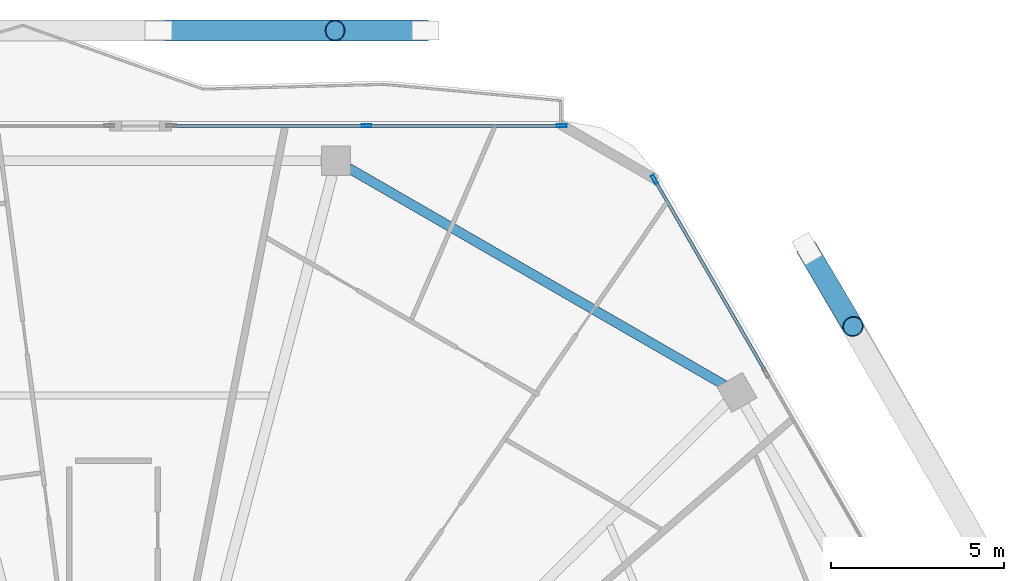
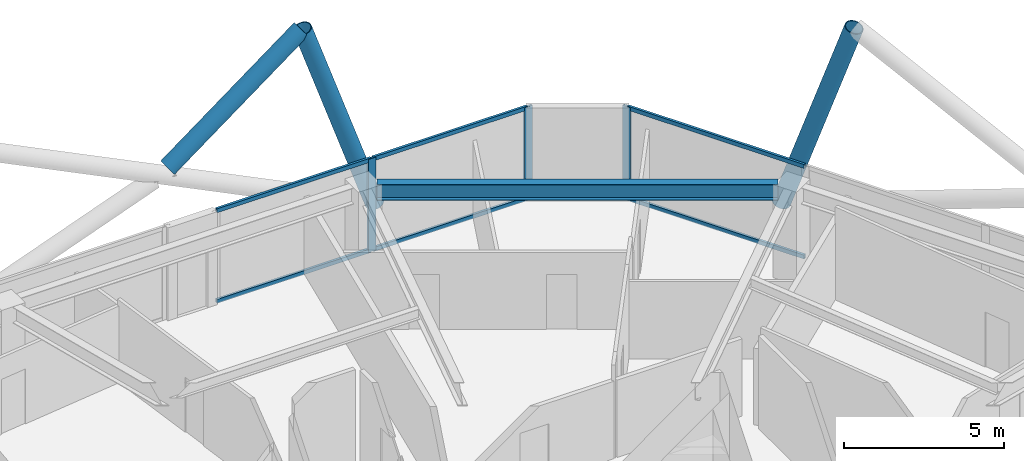
# One storey, part 18 of 27: 12 members, 1 beam, 2 elements without a shape of their own.
"""IFC4 building model written with IfcOpenShell, lengths in metres."""

from ifc_helpers import new_model, si_unit, direction, frame, origin, origin_2d, place, context, subcontext, project, spatial, hollow_rectangle, hollow_circle, i_section, extrude, material, material_profile, profile_set, type_object, element, aggregate, save


model = new_model("IFC4")

# Units and contexts
model_context = context("Model", 3, precision=1e-05, world=origin(), true_north=direction((0.0, 1.0)))
body_context = subcontext(model_context, "Body", "Model", "MODEL_VIEW")
ifc_project = project(units=[si_unit("LENGTHUNIT", "METRE"), si_unit("AREAUNIT", "SQUARE_METRE"), si_unit("VOLUMEUNIT", "CUBIC_METRE"), si_unit("PLANEANGLEUNIT", "RADIAN"), si_unit("MASSUNIT", "GRAM", prefix="KILO")], contexts=[model_context])

# Site, building, storey
site_placement = place(None, origin())
site = spatial("IfcSite", under=ifc_project, at=site_placement, CompositionType="ELEMENT")
building_placement = place(site_placement, origin())
building = spatial("IfcBuilding", under=site, at=building_placement, Name="Zuhravey Tower", CompositionType="ELEMENT")
storey_placement = place(building_placement, frame((0.0, 0.0, 276.800048828125)))
storey = spatial("IfcBuildingStorey", under=building, at=storey_placement, Name="L70", CompositionType="ELEMENT", Elevation=276.800048828125)

# Curtain wall, members
ifc_material_1 = material(Name="Thermally broken anodised aluminium", Category="aluminium")
curtain_wall_type = type_object("IfcCurtainWallType", Name="Zone 3-4 High-Rise Curtain Wall CW4", PredefinedType="NOTDEFINED", material=ifc_material_1)
curtain_wall_1_placement = place(storey_placement, origin())
curtain_wall_1 = element("IfcCurtainWall", 1, at=curtain_wall_1_placement, inside=storey, type_object=curtain_wall_type, Name="L70 CW4 CW-L70-F2-2", PredefinedType="NOTDEFINED")
ifc_material_2 = material(Name="Anodised aluminium", Category="aluminium")
ifc_material_profile_1 = material_profile(ifc_material_2, hollow_rectangle(XDim=0.090087890625, YDim=0.284912109375, WallThickness=0.0048828125, at=origin_2d()), Name="ALU-RHS-90x285x5")
ifc_profile_set_1 = profile_set([ifc_material_profile_1], Name="Anodised aluminium")
member_type_1 = type_object("IfcMemberType", Name="Curtain-Wall Mullion 90x180", PredefinedType="MULLION", material=ifc_profile_set_1)
member_1_placement = place(storey_placement, frame((43.321044921875, 57.563720703125, 0.0), z_axis=(0.0, 0.0, 1.0), x_axis=(0.0, 1.0, 0.0)))
member_1 = element("IfcMember", 2, at=member_1_placement, type_object=member_type_1, Name="CW4 mullion 2", PredefinedType="MULLION", context=body_context, shape_type="SweptSolid", body=[
    extrude(hollow_rectangle(XDim=0.090087890625, YDim=0.284912109375, WallThickness=0.0048828125, at=origin_2d()), origin(), (0.0, 0.0, 1.0), 3.550048828125),
])
member_2_placement = place(storey_placement, frame((48.9677734375, 57.563720703125, 0.0), z_axis=(0.0, 0.0, 1.0), x_axis=(0.0, 1.0, 0.0)))
member_2 = element("IfcMember", 3, at=member_2_placement, type_object=member_type_1, Name="CW4 mullion 3", PredefinedType="MULLION", context=body_context, shape_type="SweptSolid", body=[
    extrude(hollow_rectangle(XDim=0.090087890625, YDim=0.284912109375, WallThickness=0.0048828125, at=origin_2d()), origin(), (0.0, 0.0, 1.0), 3.550048828125),
])

# Curtain wall, member
curtain_wall_2_placement = place(storey_placement, origin())
curtain_wall_2 = element("IfcCurtainWall", 4, at=curtain_wall_2_placement, inside=storey, type_object=curtain_wall_type, Name="L70 CW4 CW-L70-F1-1", PredefinedType="NOTDEFINED")
member_3_placement = place(storey_placement, frame((51.65478515625, 56.01220703125, 0.0), z_axis=(0.0, 0.0, 1.0), x_axis=(0.866024851021, 0.500000957414, 0.0)))
member_3 = element("IfcMember", 5, at=member_3_placement, type_object=member_type_1, Name="CW4 mullion 1", PredefinedType="MULLION", context=body_context, shape_type="SweptSolid", body=[
    extrude(hollow_rectangle(XDim=0.090087890625, YDim=0.284912109375, WallThickness=0.0048828125, at=origin_2d()), origin(), (0.0, 0.0, 1.0), 3.550048828125),
])

# Member
ifc_material_profile_2 = material_profile(ifc_material_2, hollow_rectangle(XDim=0.090087890625, YDim=0.14990234375, WallThickness=0.0048828125, at=origin_2d()), Name="ALU-RHS-90x150x5")
ifc_profile_set_2 = profile_set([ifc_material_profile_2], Name="Anodised aluminium")
member_type_2 = type_object("IfcMemberType", Name="Curtain-Wall Transom 90x150", PredefinedType="USERDEFINED", material=ifc_profile_set_2)
member_4_placement = place(storey_placement, frame((37.719482421875, 57.563720703125, 0.044921875), z_axis=(1.0, 0.0, 0.0), x_axis=(0.0, 1.0, 0.0)))
member_4 = element("IfcMember", 6, at=member_4_placement, type_object=member_type_2, Name="CW4 transom 1.1", ObjectType="TRANSOM", PredefinedType="USERDEFINED", context=body_context, shape_type="SweptSolid", body=[
    extrude(hollow_rectangle(XDim=0.090087890625, YDim=0.14990234375, WallThickness=0.0048828125, at=origin_2d()), origin(), (0.0, 0.0, 1.0), 5.556640625),
])

member_5_placement = place(storey_placement, frame((37.719482421875, 57.563720703125, 3.5048828125), z_axis=(1.0, 0.0, 0.0), x_axis=(0.0, 1.0, 0.0)))
member_5 = element("IfcMember", 7, at=member_5_placement, type_object=member_type_2, Name="CW4 transom 1.2", ObjectType="TRANSOM", PredefinedType="USERDEFINED", context=body_context, shape_type="SweptSolid", body=[
    extrude(hollow_rectangle(XDim=0.090087890625, YDim=0.14990234375, WallThickness=0.0048828125, at=origin_2d()), origin(), (0.0, 0.0, 1.0), 5.556640625),
])

member_6_placement = place(storey_placement, frame((43.3662109375, 57.563720703125, 0.044921875), z_axis=(1.0, 0.0, 0.0), x_axis=(0.0, 1.0, 0.0)))
member_6 = element("IfcMember", 8, at=member_6_placement, type_object=member_type_2, Name="CW4 transom 2.1", ObjectType="TRANSOM", PredefinedType="USERDEFINED", context=body_context, shape_type="SweptSolid", body=[
    extrude(hollow_rectangle(XDim=0.090087890625, YDim=0.14990234375, WallThickness=0.0048828125, at=origin_2d()), origin(), (0.0, 0.0, 1.0), 5.556396484375),
])

member_7_placement = place(storey_placement, frame((43.3662109375, 57.563720703125, 3.5048828125), z_axis=(1.0, 0.0, 0.0), x_axis=(0.0, 1.0, 0.0)))
member_7 = element("IfcMember", 9, at=member_7_placement, type_object=member_type_2, Name="CW4 transom 2.2", ObjectType="TRANSOM", PredefinedType="USERDEFINED", context=body_context, shape_type="SweptSolid", body=[
    extrude(hollow_rectangle(XDim=0.090087890625, YDim=0.14990234375, WallThickness=0.0048828125, at=origin_2d()), origin(), (0.0, 0.0, 1.0), 5.556396484375),
])

aggregate(curtain_wall_1, [member_1, member_2, member_4, member_5, member_6, member_7])

member_8_placement = place(storey_placement, frame((51.677490234375, 55.97314453125, 0.044921875), z_axis=(0.499980071345, -0.866036909293, 0.0), x_axis=(0.866036909293, 0.499980071345, 0.0)))
member_8 = element("IfcMember", 10, at=member_8_placement, type_object=member_type_2, Name="CW4 transom 1.1", ObjectType="TRANSOM", PredefinedType="USERDEFINED", context=body_context, shape_type="SweptSolid", body=[
    extrude(hollow_rectangle(XDim=0.090087890625, YDim=0.14990234375, WallThickness=0.0048828125, at=origin_2d()), origin(), (0.0, 0.0, 1.0), 6.371337890625),
])

member_9_placement = place(storey_placement, frame((51.677490234375, 55.97314453125, 3.5048828125), z_axis=(0.499980071345, -0.866036909293, 0.0), x_axis=(0.866036909293, 0.499980071345, 0.0)))
member_9 = element("IfcMember", 11, at=member_9_placement, type_object=member_type_2, Name="CW4 transom 1.2", ObjectType="TRANSOM", PredefinedType="USERDEFINED", context=body_context, shape_type="SweptSolid", body=[
    extrude(hollow_rectangle(XDim=0.090087890625, YDim=0.14990234375, WallThickness=0.0048828125, at=origin_2d()), origin(), (0.0, 0.0, 1.0), 6.371337890625),
])

aggregate(curtain_wall_2, [member_3, member_8, member_9])

# Members
ifc_material_3 = material(Name="Steel SM355", Category="steel")
ifc_material_profile_3 = material_profile(ifc_material_3, hollow_circle(Radius=0.3046875, WallThickness=0.028076171875, at=origin_2d()), Name="CHS-609.6x28")
ifc_profile_set_3 = profile_set([ifc_material_profile_3], Name="Steel SM355")
member_type_3 = type_object("IfcMemberType", Name="Exoskeleton Zone 3 Diagrid CHS610x28", PredefinedType="BRACE", material=ifc_profile_set_3)
member_10_placement = place(storey_placement, frame((56.069580078125, 54.005859375, -0.446044921875), z_axis=(0.166262124402, -0.280531101441, 0.945335499764), x_axis=(0.860262654466, 0.509851120751, 0.0)))
element("IfcMember", 12, at=member_10_placement, inside=storey, type_object=member_type_3, Name="L70 Face 1 Diagrid Brace 4", PredefinedType="BRACE", context=body_context, shape_type="SweptSolid", body=[
    extrude(hollow_circle(Radius=0.3046875, WallThickness=0.028076171875, at=origin_2d()), origin(), (0.0, 0.0, 1.0), 8.00146484375),
])
member_11_placement = place(storey_placement, frame((45.022705078125, 60.323486328125, -0.446044921875), z_axis=(-0.326060268586, 0.0, 0.945348983841), x_axis=(0.0, -1.0, 0.0)))
element("IfcMember", 13, at=member_11_placement, inside=storey, type_object=member_type_3, Name="L70 Face 2 Diagrid Brace 1", PredefinedType="BRACE", context=body_context, shape_type="SweptSolid", body=[
    extrude(hollow_circle(Radius=0.3046875, WallThickness=0.028076171875, at=origin_2d()), origin(), (0.0, 0.0, 1.0), 8.001220703125),
])
member_12_placement = place(storey_placement, frame((37.547119140625, 60.323486328125, 3.51220703125), z_axis=(0.801714073603, 0.0, 0.597707741448), x_axis=(0.0, 1.0, 0.0)))
element("IfcMember", 14, at=member_12_placement, inside=storey, type_object=member_type_3, Name="L70 Face 2 Split Diagrid Brace 3B", PredefinedType="BRACE", context=body_context, shape_type="SweptSolid", body=[
    extrude(hollow_circle(Radius=0.3046875, WallThickness=0.028076171875, at=origin_2d()), origin(), (0.0, 0.0, 1.0), 6.02197265625),
])

# Beam
ifc_material_profile_4 = material_profile(ifc_material_3, i_section(OverallWidth=0.280029296875, OverallDepth=0.6201171875, WebThickness=0.011962890625, FlangeThickness=0.02001953125, at=origin_2d()), Name="H-620x280x12x20")
ifc_profile_set_4 = profile_set([ifc_material_profile_4], Name="Steel SM355")
beam_type = type_object("IfcBeamType", Name="Perimeter Ring Beam H620x280", PredefinedType="BEAM", material=ifc_profile_set_4)
beam_placement = place(storey_placement, frame((53.6728515625, 50.068603515625, 3.239990234375), z_axis=(-0.866018312875, 0.500012281615, 0.0), x_axis=(-0.500012281615, -0.866018312875, 0.0)))
element("IfcBeam", 15, at=beam_placement, inside=storey, type_object=beam_type, Name="L70 PB3 BM-L70-PB-02", PredefinedType="BEAM", context=body_context, shape_type="SweptSolid", body=[
    extrude(i_section(OverallWidth=0.280029296875, OverallDepth=0.6201171875, WebThickness=0.011962890625, FlangeThickness=0.02001953125, at=origin_2d()), origin(), (0.0, 0.0, 1.0), 12.541748046875),
])

save(model, "model.ifc")
